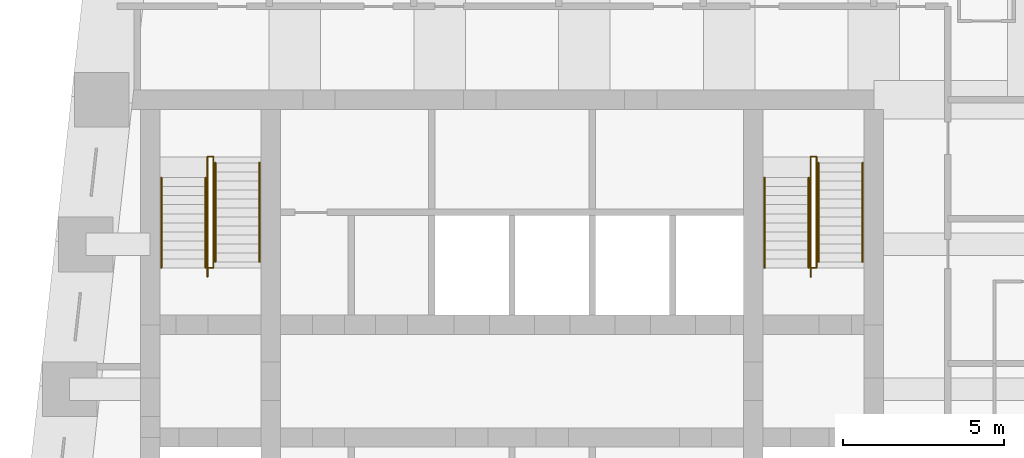
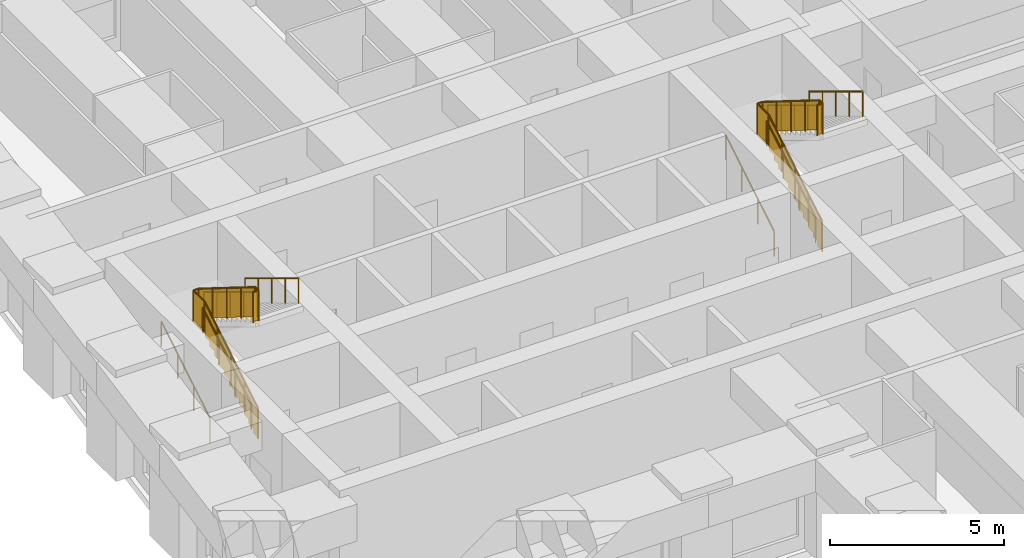
# One storey, part 7 of 7: 12 railings.
"""IFC4 building model written with IfcOpenShell, lengths in metres."""

from ifc_helpers import new_model, si_unit, direction, frame, origin, origin_2d, place, context, subcontext, project, spatial, polyline, circle, outline, extrude, material, type_object, element, save


model = new_model("IFC4")

# Units and contexts
model_context = context("Model", 3, precision=1e-05, world=origin(), true_north=direction((0.0, 1.0)))
body_context = subcontext(model_context, "Body", "Model", "MODEL_VIEW")
ifc_project = project(units=[si_unit("LENGTHUNIT", "METRE"), si_unit("AREAUNIT", "SQUARE_METRE"), si_unit("VOLUMEUNIT", "CUBIC_METRE"), si_unit("PLANEANGLEUNIT", "RADIAN"), si_unit("MASSUNIT", "GRAM", prefix="KILO")], contexts=[model_context])

# Site, building, storey
site_placement = place(None, origin())
site = spatial("IfcSite", under=ifc_project, at=site_placement, CompositionType="ELEMENT")
building_placement = place(site_placement, origin())
building = spatial("IfcBuilding", under=site, at=building_placement, Name="Kilele Tower Hotel", CompositionType="ELEMENT")
storey_placement = place(building_placement, frame((0.0, 0.0, 225.199951171875)))
storey = spatial("IfcBuildingStorey", under=building, at=storey_placement, Name="L58", CompositionType="ELEMENT", Elevation=225.199951171875)

# Railings
ifc_material_1 = material(Name="Steel handrail", Category="steel")
railing_type_1 = type_object("IfcRailingType", Name="Handrail 900", PredefinedType="HANDRAIL", material=ifc_material_1)
for number, where, name in (
    (1, (13.85009765625, 21.77490234375, 0.169677734375), "Handrail ST1 flight 1"),
    (2, (15.22509765625, 21.77490234375, 0.169677734375), "Handrail ST1 flight 1"),
):
    element("IfcRailing", number, at=place(storey_placement, frame(where)), inside=storey, type_object=railing_type_1, Name=name, PredefinedType="HANDRAIL", context=body_context, shape_type="SweptSolid", body=[
        extrude(circle(Radius=0.02490234375, at=origin_2d()), frame((0.0, 0.0, 0.875), z_axis=(0.0, 0.855393119324, 0.517979354234), x_axis=(-1.0, 0.0, 0.0)), (0.0, 0.0, 1.0), 3.2734375),
        extrude(circle(Radius=0.02001953125, at=origin_2d()), origin(), (0.0, 0.0, 1.0), 0.849853515625),
        extrude(circle(Radius=0.02001953125, at=origin_2d()), frame((0.0, 0.933349609375, 0.565185546875)), (0.0, 0.0, 1.0), 0.849853515625),
        extrude(circle(Radius=0.02001953125, at=origin_2d()), frame((0.0, 1.86669921875, 1.13037109375)), (0.0, 0.0, 1.0), 0.849853515625),
        extrude(circle(Radius=0.02001953125, at=origin_2d()), frame((0.0, 2.800048828125, 1.695556640625)), (0.0, 0.0, 1.0), 0.849853515625),
    ])
for number, where, name in (
    (3, (15.52490234375, 25.0400390625, 2.034912109375), "Handrail ST1 flight 2"),
    (4, (16.89990234375, 25.0400390625, 2.034912109375), "Handrail ST1 flight 2"),
):
    element("IfcRailing", number, at=place(storey_placement, frame(where)), inside=storey, type_object=railing_type_1, Name=name, PredefinedType="HANDRAIL", context=body_context, shape_type="SweptSolid", body=[
        extrude(circle(Radius=0.02490234375, at=origin_2d()), frame((0.0, 0.0, 0.875), z_axis=(0.0, -0.855379917629, 0.518001154937), x_axis=(1.0, 0.0, 0.0)), (0.0, 0.0, 1.0), 3.600830078125),
        extrude(circle(Radius=0.02001953125, at=origin_2d()), origin(), (0.0, 0.0, 1.0), 0.849853515625),
        extrude(circle(Radius=0.02001953125, at=origin_2d()), frame((0.0, -0.77001953125, 0.46630859375)), (0.0, 0.0, 1.0), 0.849853515625),
        extrude(circle(Radius=0.02001953125, at=origin_2d()), frame((0.0, -1.5400390625, 0.9326171875)), (0.0, 0.0, 1.0), 0.849853515625),
        extrude(circle(Radius=0.02001953125, at=origin_2d()), frame((0.0, -2.31005859375, 1.39892578125)), (0.0, 0.0, 1.0), 0.849853515625),
        extrude(circle(Radius=0.02001953125, at=origin_2d()), frame((0.0, -3.080078125, 1.865234375)), (0.0, 0.0, 1.0), 0.849853515625),
    ])
for number, where, name in (
    (5, (32.60009765625, 21.77490234375, 0.169677734375), "Handrail ST2 flight 1"),
    (6, (33.97509765625, 21.77490234375, 0.169677734375), "Handrail ST2 flight 1"),
):
    element("IfcRailing", number, at=place(storey_placement, frame(where)), inside=storey, type_object=railing_type_1, Name=name, PredefinedType="HANDRAIL", context=body_context, shape_type="SweptSolid", body=[
        extrude(circle(Radius=0.02490234375, at=origin_2d()), frame((0.0, 0.0, 0.875), z_axis=(0.0, 0.855393119324, 0.517979354234), x_axis=(-1.0, 0.0, 0.0)), (0.0, 0.0, 1.0), 3.2734375),
        extrude(circle(Radius=0.02001953125, at=origin_2d()), origin(), (0.0, 0.0, 1.0), 0.849853515625),
        extrude(circle(Radius=0.02001953125, at=origin_2d()), frame((0.0, 0.933349609375, 0.565185546875)), (0.0, 0.0, 1.0), 0.849853515625),
        extrude(circle(Radius=0.02001953125, at=origin_2d()), frame((0.0, 1.86669921875, 1.13037109375)), (0.0, 0.0, 1.0), 0.849853515625),
        extrude(circle(Radius=0.02001953125, at=origin_2d()), frame((0.0, 2.800048828125, 1.695556640625)), (0.0, 0.0, 1.0), 0.849853515625),
    ])
for number, where, name in (
    (7, (34.27490234375, 25.0400390625, 2.034912109375), "Handrail ST2 flight 2"),
    (8, (35.64990234375, 25.0400390625, 2.034912109375), "Handrail ST2 flight 2"),
):
    element("IfcRailing", number, at=place(storey_placement, frame(where)), inside=storey, type_object=railing_type_1, Name=name, PredefinedType="HANDRAIL", context=body_context, shape_type="SweptSolid", body=[
        extrude(circle(Radius=0.02490234375, at=origin_2d()), frame((0.0, 0.0, 0.875), z_axis=(0.0, -0.855379917629, 0.518001154937), x_axis=(1.0, 0.0, 0.0)), (0.0, 0.0, 1.0), 3.600830078125),
        extrude(circle(Radius=0.02001953125, at=origin_2d()), origin(), (0.0, 0.0, 1.0), 0.849853515625),
        extrude(circle(Radius=0.02001953125, at=origin_2d()), frame((0.0, -0.77001953125, 0.46630859375)), (0.0, 0.0, 1.0), 0.849853515625),
        extrude(circle(Radius=0.02001953125, at=origin_2d()), frame((0.0, -1.5400390625, 0.9326171875)), (0.0, 0.0, 1.0), 0.849853515625),
        extrude(circle(Radius=0.02001953125, at=origin_2d()), frame((0.0, -2.31005859375, 1.39892578125)), (0.0, 0.0, 1.0), 0.849853515625),
        extrude(circle(Radius=0.02001953125, at=origin_2d()), frame((0.0, -3.080078125, 1.865234375)), (0.0, 0.0, 1.0), 0.849853515625),
    ])
ifc_material_2 = material(Name="Steel guard", Category="steel")
railing_type_2 = type_object("IfcRailingType", Name="Stair guard 1100", PredefinedType="GUARDRAIL", material=ifc_material_2)
railing_1_placement = place(storey_placement, frame((15.284912109375, 21.4951171875, 0.0)))
element("IfcRailing", 9, at=railing_1_placement, inside=storey, type_object=railing_type_2, Name="Stair well guard ST1 flight 1", PredefinedType="GUARDRAIL", context=body_context, shape_type="SweptSolid", body=[
    extrude(circle(Radius=0.02490234375, at=origin_2d()), frame((0.0, 0.0, 1.0751953125), z_axis=(0.0, 0.855361723277, 0.518031198243), x_axis=(-1.0, 0.0, 0.0)), (0.0, 0.0, 1.0), 3.6005859375),
    extrude(circle(Radius=0.02490234375, at=origin_2d()), frame((0.0, 3.079833984375, 2.9404296875), z_axis=(0.0, 1.0, 0.0), x_axis=(-1.0, 0.0, 0.0)), (0.0, 0.0, 1.0), 0.650146484375),
    extrude(circle(Radius=0.02490234375, at=origin_2d()), frame((0.0, 3.72998046875, 2.9404296875), z_axis=(1.0, 0.0, 0.0), x_axis=(0.0, 1.0, 0.0)), (0.0, 0.0, 1.0), 0.18017578125),
    extrude(circle(Radius=0.02490234375, at=origin_2d()), origin(), (0.0, 0.0, 1.0), 1.050048828125),
    extrude(circle(Radius=0.02490234375, at=origin_2d()), frame((0.0, 0.77001953125, 0.46630859375)), (0.0, 0.0, 1.0), 1.050048828125),
    extrude(circle(Radius=0.02490234375, at=origin_2d()), frame((0.0, 1.5400390625, 0.9326171875)), (0.0, 0.0, 1.0), 1.050048828125),
    extrude(circle(Radius=0.02490234375, at=origin_2d()), frame((0.0, 2.309814453125, 1.39892578125)), (0.0, 0.0, 1.0), 1.050048828125),
    extrude(circle(Radius=0.02490234375, at=origin_2d()), frame((0.0, 3.079833984375, 1.865234375)), (0.0, 0.0, 1.0), 1.050048828125),
    extrude(circle(Radius=0.02490234375, at=origin_2d()), frame((0.0, 3.72998046875, 1.865234375)), (0.0, 0.0, 1.0), 1.050048828125),
    extrude(circle(Radius=0.02490234375, at=origin_2d()), frame((0.18017578125, 3.72998046875, 1.865234375)), (0.0, 0.0, 1.0), 1.050048828125),
    extrude(outline(polyline([(0.012451171875, 0.030029296875), (0.25, 0.030029296875), (0.25, 0.19970703125), (0.530029296875, 0.19970703125), (0.530029296875, 0.369140625), (0.809814453125, 0.369140625), (0.809814453125, 0.538818359375), (1.08984375, 0.538818359375), (1.08984375, 0.708251953125), (1.369873046875, 0.708251953125), (1.369873046875, 0.8779296875), (1.64990234375, 0.8779296875), (1.64990234375, 1.04736328125), (1.929931640625, 1.04736328125), (1.929931640625, 1.217041015625), (2.2099609375, 1.217041015625), (2.2099609375, 1.386474609375), (2.48974609375, 1.386474609375), (2.48974609375, 1.55615234375), (2.769775390625, 1.55615234375), (2.769775390625, 1.7255859375), (3.0498046875, 1.7255859375), (3.0498046875, 1.895263671875), (3.0673828125, 1.895263671875), (3.0673828125, 2.903564453125), (0.012451171875, 1.053466796875), (0.012451171875, 0.030029296875)])), frame((-0.005859375, 0.0, 0.0), z_axis=(1.0, 0.0, 0.0), x_axis=(0.0, 1.0, 0.0)), (0.0, 0.0, 1.0), 0.011962890625),
    extrude(outline(polyline([(0.012451171875, 0.030029296875), (0.6376953125, 0.030029296875), (0.6376953125, 1.050048828125), (0.012451171875, 1.050048828125), (0.012451171875, 0.030029296875)])), frame((-0.005859375, 3.079833984375, 1.865234375), z_axis=(1.0, 0.0, 0.0), x_axis=(0.0, 1.0, 0.0)), (0.0, 0.0, 1.0), 0.011962890625),
    extrude(outline(polyline([(0.012451171875, 0.030029296875), (0.18017578125, 0.030029296875), (0.18017578125, 1.050048828125), (0.012451171875, 1.050048828125), (0.012451171875, 0.030029296875)])), frame((0.0, 3.73583984375, 1.865234375), z_axis=(0.0, -1.0, 0.0), x_axis=(1.0, 0.0, 0.0)), (0.0, 0.0, 1.0), 0.011962890625),
])
railing_2_placement = place(storey_placement, frame((15.465087890625, 25.22509765625, 1.865234375)))
element("IfcRailing", 10, at=railing_2_placement, inside=storey, type_object=railing_type_2, Name="Stair well guard ST1 flight 2", PredefinedType="GUARDRAIL", context=body_context, shape_type="SweptSolid", body=[
    extrude(circle(Radius=0.02490234375, at=origin_2d()), frame((0.0, 0.0, 1.0751953125), z_axis=(0.0, -0.848674962302, 0.528914745834), x_axis=(1.0, 0.0, 0.0)), (0.0, 0.0, 1.0), 3.847412109375),
    extrude(circle(Radius=0.02490234375, at=origin_2d()), frame((0.0, -3.26513671875, 3.10986328125), z_axis=(0.0, -1.0, 0.0), x_axis=(1.0, 0.0, 0.0)), (0.0, 0.0, 1.0), 0.18505859375),
    extrude(circle(Radius=0.02490234375, at=origin_2d()), frame((0.0, -3.4501953125, 3.10986328125), z_axis=(-1.0, 0.0, 0.0), x_axis=(0.0, -1.0, 0.0)), (0.0, 0.0, 1.0), 0.18017578125),
    extrude(circle(Radius=0.02490234375, at=origin_2d()), origin(), (0.0, 0.0, 1.0), 1.050048828125),
    extrude(circle(Radius=0.02490234375, at=origin_2d()), frame((0.0, -0.81640625, 0.5087890625)), (0.0, 0.0, 1.0), 1.050048828125),
    extrude(circle(Radius=0.02490234375, at=origin_2d()), frame((0.0, -1.632568359375, 1.017578125)), (0.0, 0.0, 1.0), 1.050048828125),
    extrude(circle(Radius=0.02490234375, at=origin_2d()), frame((0.0, -2.44873046875, 1.526123046875)), (0.0, 0.0, 1.0), 1.050048828125),
    extrude(circle(Radius=0.02490234375, at=origin_2d()), frame((0.0, -3.26513671875, 2.034912109375)), (0.0, 0.0, 1.0), 1.050048828125),
    extrude(circle(Radius=0.02490234375, at=origin_2d()), frame((0.0, -3.4501953125, 2.034912109375)), (0.0, 0.0, 1.0), 1.050048828125),
    extrude(circle(Radius=0.02490234375, at=origin_2d()), frame((-0.18017578125, -3.4501953125, 2.034912109375)), (0.0, 0.0, 1.0), 1.050048828125),
    extrude(outline(polyline([(0.0, 0.030029296875), (3.252685546875, 2.05712890625), (3.252685546875, 3.07275390625), (0.0, 1.045654296875), (0.0, 0.030029296875)])), frame((0.005859375, 0.0, 0.0), z_axis=(-1.0, 0.0, 0.0), x_axis=(0.0, -1.0, 0.0)), (0.0, 0.0, 1.0), 0.011962890625),
    extrude(outline(polyline([(0.012451171875, 0.030029296875), (0.172607421875, 0.030029296875), (0.172607421875, 1.050048828125), (0.012451171875, 1.050048828125), (0.012451171875, 0.030029296875)])), frame((0.005859375, -3.26513671875, 2.034912109375), z_axis=(-1.0, 0.0, 0.0), x_axis=(0.0, -1.0, 0.0)), (0.0, 0.0, 1.0), 0.011962890625),
    extrude(outline(polyline([(0.012451171875, 0.030029296875), (0.18017578125, 0.030029296875), (0.18017578125, 1.050048828125), (0.012451171875, 1.050048828125), (0.012451171875, 0.030029296875)])), frame((0.0, -3.4560546875, 2.034912109375), z_axis=(0.0, 1.0, 0.0), x_axis=(-1.0, 0.0, 0.0)), (0.0, 0.0, 1.0), 0.011962890625),
])
railing_3_placement = place(storey_placement, frame((34.034912109375, 21.4951171875, 0.0)))
element("IfcRailing", 11, at=railing_3_placement, inside=storey, type_object=railing_type_2, Name="Stair well guard ST2 flight 1", PredefinedType="GUARDRAIL", context=body_context, shape_type="SweptSolid", body=[
    extrude(circle(Radius=0.02490234375, at=origin_2d()), frame((0.0, 0.0, 1.0751953125), z_axis=(0.0, 0.855361723277, 0.518031198243), x_axis=(-1.0, 0.0, 0.0)), (0.0, 0.0, 1.0), 3.6005859375),
    extrude(circle(Radius=0.02490234375, at=origin_2d()), frame((0.0, 3.079833984375, 2.9404296875), z_axis=(0.0, 1.0, 0.0), x_axis=(-1.0, 0.0, 0.0)), (0.0, 0.0, 1.0), 0.650146484375),
    extrude(circle(Radius=0.02490234375, at=origin_2d()), frame((0.0, 3.72998046875, 2.9404296875), z_axis=(1.0, 0.0, 0.0), x_axis=(0.0, 1.0, 0.0)), (0.0, 0.0, 1.0), 0.18017578125),
    extrude(circle(Radius=0.02490234375, at=origin_2d()), origin(), (0.0, 0.0, 1.0), 1.050048828125),
    extrude(circle(Radius=0.02490234375, at=origin_2d()), frame((0.0, 0.77001953125, 0.46630859375)), (0.0, 0.0, 1.0), 1.050048828125),
    extrude(circle(Radius=0.02490234375, at=origin_2d()), frame((0.0, 1.5400390625, 0.9326171875)), (0.0, 0.0, 1.0), 1.050048828125),
    extrude(circle(Radius=0.02490234375, at=origin_2d()), frame((0.0, 2.309814453125, 1.39892578125)), (0.0, 0.0, 1.0), 1.050048828125),
    extrude(circle(Radius=0.02490234375, at=origin_2d()), frame((0.0, 3.079833984375, 1.865234375)), (0.0, 0.0, 1.0), 1.050048828125),
    extrude(circle(Radius=0.02490234375, at=origin_2d()), frame((0.0, 3.72998046875, 1.865234375)), (0.0, 0.0, 1.0), 1.050048828125),
    extrude(circle(Radius=0.02490234375, at=origin_2d()), frame((0.18017578125, 3.72998046875, 1.865234375)), (0.0, 0.0, 1.0), 1.050048828125),
    extrude(outline(polyline([(0.012451171875, 0.030029296875), (0.25, 0.030029296875), (0.25, 0.19970703125), (0.530029296875, 0.19970703125), (0.530029296875, 0.369140625), (0.809814453125, 0.369140625), (0.809814453125, 0.538818359375), (1.08984375, 0.538818359375), (1.08984375, 0.708251953125), (1.369873046875, 0.708251953125), (1.369873046875, 0.8779296875), (1.64990234375, 0.8779296875), (1.64990234375, 1.04736328125), (1.929931640625, 1.04736328125), (1.929931640625, 1.217041015625), (2.2099609375, 1.217041015625), (2.2099609375, 1.386474609375), (2.48974609375, 1.386474609375), (2.48974609375, 1.55615234375), (2.769775390625, 1.55615234375), (2.769775390625, 1.7255859375), (3.0498046875, 1.7255859375), (3.0498046875, 1.895263671875), (3.0673828125, 1.895263671875), (3.0673828125, 2.903564453125), (0.012451171875, 1.053466796875), (0.012451171875, 0.030029296875)])), frame((-0.005859375, 0.0, 0.0), z_axis=(1.0, 0.0, 0.0), x_axis=(0.0, 1.0, 0.0)), (0.0, 0.0, 1.0), 0.011962890625),
    extrude(outline(polyline([(0.012451171875, 0.030029296875), (0.6376953125, 0.030029296875), (0.6376953125, 1.050048828125), (0.012451171875, 1.050048828125), (0.012451171875, 0.030029296875)])), frame((-0.005859375, 3.079833984375, 1.865234375), z_axis=(1.0, 0.0, 0.0), x_axis=(0.0, 1.0, 0.0)), (0.0, 0.0, 1.0), 0.011962890625),
    extrude(outline(polyline([(0.012451171875, 0.030029296875), (0.18017578125, 0.030029296875), (0.18017578125, 1.050048828125), (0.012451171875, 1.050048828125), (0.012451171875, 0.030029296875)])), frame((0.0, 3.73583984375, 1.865234375), z_axis=(0.0, -1.0, 0.0), x_axis=(1.0, 0.0, 0.0)), (0.0, 0.0, 1.0), 0.011962890625),
])
railing_4_placement = place(storey_placement, frame((34.215087890625, 25.22509765625, 1.865234375)))
element("IfcRailing", 12, at=railing_4_placement, inside=storey, type_object=railing_type_2, Name="Stair well guard ST2 flight 2", PredefinedType="GUARDRAIL", context=body_context, shape_type="SweptSolid", body=[
    extrude(circle(Radius=0.02490234375, at=origin_2d()), frame((0.0, 0.0, 1.0751953125), z_axis=(0.0, -0.848674962302, 0.528914745834), x_axis=(1.0, 0.0, 0.0)), (0.0, 0.0, 1.0), 3.847412109375),
    extrude(circle(Radius=0.02490234375, at=origin_2d()), frame((0.0, -3.26513671875, 3.10986328125), z_axis=(0.0, -1.0, 0.0), x_axis=(1.0, 0.0, 0.0)), (0.0, 0.0, 1.0), 0.18505859375),
    extrude(circle(Radius=0.02490234375, at=origin_2d()), frame((0.0, -3.4501953125, 3.10986328125), z_axis=(-1.0, 0.0, 0.0), x_axis=(0.0, -1.0, 0.0)), (0.0, 0.0, 1.0), 0.18017578125),
    extrude(circle(Radius=0.02490234375, at=origin_2d()), origin(), (0.0, 0.0, 1.0), 1.050048828125),
    extrude(circle(Radius=0.02490234375, at=origin_2d()), frame((0.0, -0.81640625, 0.5087890625)), (0.0, 0.0, 1.0), 1.050048828125),
    extrude(circle(Radius=0.02490234375, at=origin_2d()), frame((0.0, -1.632568359375, 1.017578125)), (0.0, 0.0, 1.0), 1.050048828125),
    extrude(circle(Radius=0.02490234375, at=origin_2d()), frame((0.0, -2.44873046875, 1.526123046875)), (0.0, 0.0, 1.0), 1.050048828125),
    extrude(circle(Radius=0.02490234375, at=origin_2d()), frame((0.0, -3.26513671875, 2.034912109375)), (0.0, 0.0, 1.0), 1.050048828125),
    extrude(circle(Radius=0.02490234375, at=origin_2d()), frame((0.0, -3.4501953125, 2.034912109375)), (0.0, 0.0, 1.0), 1.050048828125),
    extrude(circle(Radius=0.02490234375, at=origin_2d()), frame((-0.18017578125, -3.4501953125, 2.034912109375)), (0.0, 0.0, 1.0), 1.050048828125),
    extrude(outline(polyline([(0.0, 0.030029296875), (3.252685546875, 2.05712890625), (3.252685546875, 3.07275390625), (0.0, 1.045654296875), (0.0, 0.030029296875)])), frame((0.005859375, 0.0, 0.0), z_axis=(-1.0, 0.0, 0.0), x_axis=(0.0, -1.0, 0.0)), (0.0, 0.0, 1.0), 0.011962890625),
    extrude(outline(polyline([(0.012451171875, 0.030029296875), (0.172607421875, 0.030029296875), (0.172607421875, 1.050048828125), (0.012451171875, 1.050048828125), (0.012451171875, 0.030029296875)])), frame((0.005859375, -3.26513671875, 2.034912109375), z_axis=(-1.0, 0.0, 0.0), x_axis=(0.0, -1.0, 0.0)), (0.0, 0.0, 1.0), 0.011962890625),
    extrude(outline(polyline([(0.012451171875, 0.030029296875), (0.18017578125, 0.030029296875), (0.18017578125, 1.050048828125), (0.012451171875, 1.050048828125), (0.012451171875, 0.030029296875)])), frame((0.0, -3.4560546875, 2.034912109375), z_axis=(0.0, 1.0, 0.0), x_axis=(-1.0, 0.0, 0.0)), (0.0, 0.0, 1.0), 0.011962890625),
])

save(model, "model.ifc")
